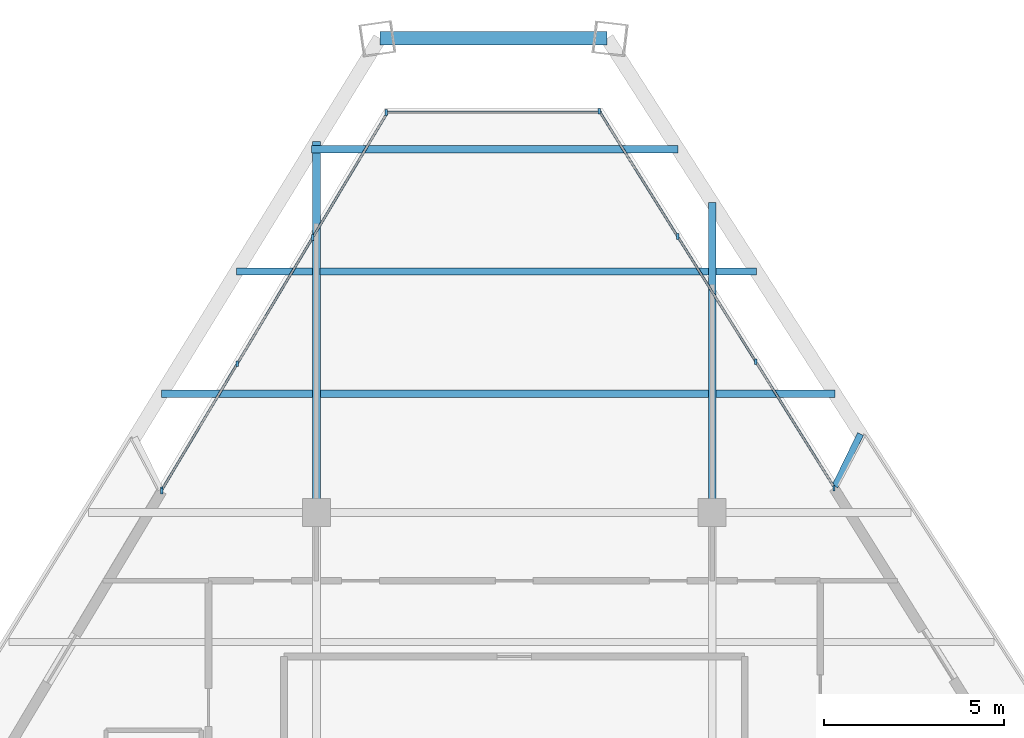
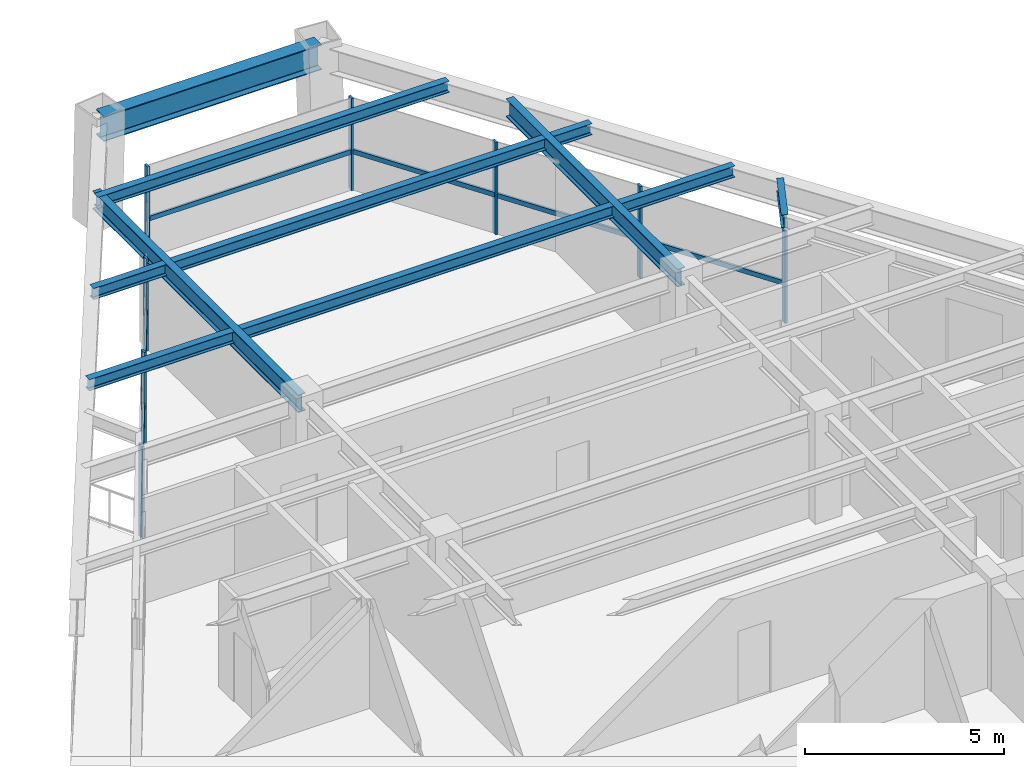
# One storey, part 6 of 12: 16 members, 11 beams, 3 elements without a shape of their own.
"""IFC4 building model written with IfcOpenShell, lengths in metres."""

from ifc_helpers import new_model, si_unit, direction, frame, origin, origin_2d, place, context, subcontext, project, spatial, rectangle, i_section, extrude, source, transform, mapped, material, material_profile, profile_set, type_object, type_shapes, element, aggregate, save


model = new_model("IFC4")

# Units and contexts
model_context = context("Model", 3, precision=1e-05, world=origin(), true_north=direction((0.0, 1.0)))
body_context = subcontext(model_context, "Body", "Model", "MODEL_VIEW")
ifc_project = project(units=[si_unit("LENGTHUNIT", "METRE"), si_unit("AREAUNIT", "SQUARE_METRE"), si_unit("VOLUMEUNIT", "CUBIC_METRE"), si_unit("PLANEANGLEUNIT", "RADIAN"), si_unit("MASSUNIT", "GRAM", prefix="KILO")], contexts=[model_context])

# Site, building, storey
site_placement = place(None, origin())
site = spatial("IfcSite", under=ifc_project, at=site_placement, CompositionType="ELEMENT")
building_placement = place(site_placement, origin())
building = spatial("IfcBuilding", under=site, at=building_placement, Name="Varnakhor Terracotta Tower", CompositionType="ELEMENT")
storey_placement = place(building_placement, frame((0.0, 0.0, 223.449951171875)))
storey = spatial("IfcBuildingStorey", under=building, at=storey_placement, Name="L57", CompositionType="ELEMENT", Elevation=223.449951171875)

# Beams
ifc_material_1 = material(Name="Steel S355", Category="steel")
ifc_material_profile_1 = material_profile(ifc_material_1, i_section(OverallWidth=0.202880859375, OverallDepth=0.346923828125, WebThickness=0.0078125, FlangeThickness=0.013427734375, FilletRadius=0.01806640625, at=origin_2d()), Name="W14X43")
ifc_profile_set_1 = profile_set([ifc_material_profile_1], Name="Steel S355")
beam_type_1 = type_object("IfcBeamType", Name="JST-W14X43", PredefinedType="JOIST", material=ifc_profile_set_1)
shared_shape_1 = source(origin(), body_context, "Body", "SweptSolid", [
    extrude(i_section(OverallWidth=0.202880859375, OverallDepth=0.346923828125, WebThickness=0.0078125, FlangeThickness=0.013427734375, FilletRadius=0.01806640625, at=origin_2d()), origin(), (0.0, 0.0, 1.0), 10.7939453125),
])
for number, where, z_axis, x_axis, name in (
    (1, (-5.39697265625, 34.800048828125, 3.066650390625), (1.0, 0.0, 0.0), (0.0, 1.0, 0.0), "L57 Composite Floor Joist 7-2"),
    (2, (-5.39697265625, 38.199951171875, 3.066650390625), (1.0, 0.0, 0.0), (0.0, 1.0, 0.0), "L57 Composite Floor Joist 8-2"),
):
    element("IfcBeam", number, at=place(storey_placement, frame(where, z_axis=z_axis, x_axis=x_axis)), inside=storey, type_object=beam_type_1, Name=name, PredefinedType="JOIST", context=body_context, shape_type="MappedRepresentation", body=[
        mapped(shared_shape_1, transform((0.0, 0.0, 0.0), scale=1.0)),
    ])
ifc_material_profile_2 = material_profile(ifc_material_1, i_section(OverallWidth=0.381103515625, OverallDepth=0.77294921875, WebThickness=0.01708984375, FlangeThickness=0.027099609375, FilletRadius=0.01806640625, at=origin_2d()), Name="W30X173")
ifc_profile_set_2 = profile_set([ifc_material_profile_2], Name="Steel S355")
beam_type_2 = type_object("IfcBeamType", Name="BM-W30X173", PredefinedType="BEAM", material=ifc_profile_set_2)
shared_shape_2 = source(origin(), body_context, "Body", "SweptSolid", [
    extrude(i_section(OverallWidth=0.381103515625, OverallDepth=0.77294921875, WebThickness=0.01708984375, FlangeThickness=0.027099609375, FilletRadius=0.01806640625, at=origin_2d()), origin(), (0.0, 0.0, 1.0), 6.31787109375),
])
beam_1_placement = place(storey_placement, frame((2.579345703125, 44.678955078125, 2.853515625), z_axis=(-1.0, 0.0, 0.0), x_axis=(0.0, -1.0, 0.0)))
element("IfcBeam", 3, at=beam_1_placement, inside=storey, type_object=beam_type_2, Name="L57 Perimeter Spandrel 5", PredefinedType="BEAM", context=body_context, shape_type="MappedRepresentation", body=[
    mapped(shared_shape_2, transform((0.0, 0.0, 0.0), scale=1.0)),
])
ifc_material_profile_3 = material_profile(ifc_material_1, i_section(OverallWidth=0.214111328125, OverallDepth=0.549072265625, WebThickness=0.014892578125, FlangeThickness=0.02392578125, FilletRadius=0.01806640625, at=origin_2d()), Name="W21X93")
ifc_profile_set_3 = profile_set([ifc_material_profile_3], Name="Steel S355")
beam_type_3 = type_object("IfcBeamType", Name="BM-W21X93", PredefinedType="BEAM", material=ifc_profile_set_3)
shared_shape_3 = source(origin(), body_context, "Body", "SweptSolid", [
    extrude(i_section(OverallWidth=0.214111328125, OverallDepth=0.549072265625, WebThickness=0.014892578125, FlangeThickness=0.02392578125, FilletRadius=0.01806640625, at=origin_2d()), origin(), (0.0, 0.0, 1.0), 10.3125),
])
beam_2_placement = place(storey_placement, frame((-5.5, 31.5, 2.965576171875), z_axis=(0.0, 1.0, 0.0), x_axis=(-1.0, 0.0, 0.0)))
element("IfcBeam", 4, at=beam_2_placement, inside=storey, type_object=beam_type_3, Name="L57 Primary Girder NS3-W", PredefinedType="BEAM", context=body_context, shape_type="MappedRepresentation", body=[
    mapped(shared_shape_3, transform((0.0, 0.0, 0.0), scale=1.0)),
])
shared_shape_4 = source(origin(), body_context, "Body", "SweptSolid", [
    extrude(i_section(OverallWidth=0.214111328125, OverallDepth=0.549072265625, WebThickness=0.014892578125, FlangeThickness=0.02392578125, FilletRadius=0.01806640625, at=origin_2d()), origin(), (0.0, 0.0, 1.0), 8.618408203125),
])
beam_3_placement = place(storey_placement, frame((5.5, 31.5, 2.965576171875), z_axis=(0.0, 1.0, 0.0), x_axis=(-1.0, 0.0, 0.0)))
element("IfcBeam", 5, at=beam_3_placement, inside=storey, type_object=beam_type_3, Name="L57 Primary Girder NS3-E", PredefinedType="BEAM", context=body_context, shape_type="MappedRepresentation", body=[
    mapped(shared_shape_4, transform((0.0, 0.0, 0.0), scale=1.0)),
])
shared_shape_5 = source(origin(), body_context, "Body", "SweptSolid", [
    extrude(i_section(OverallWidth=0.202880859375, OverallDepth=0.346923828125, WebThickness=0.0078125, FlangeThickness=0.013427734375, FilletRadius=0.01806640625, at=origin_2d()), origin(), (0.0, 0.0, 1.0), 4.205810546875),
])
beam_4_placement = place(storey_placement, frame((-9.808837890625, 34.800048828125, 3.066650390625), z_axis=(1.0, 0.0, 0.0), x_axis=(0.0, 1.0, 0.0)))
element("IfcBeam", 6, at=beam_4_placement, inside=storey, type_object=beam_type_1, Name="L57 Composite Floor Joist 7-1", PredefinedType="JOIST", context=body_context, shape_type="MappedRepresentation", body=[
    mapped(shared_shape_5, transform((0.0, 0.0, 0.0), scale=1.0)),
])
shared_shape_6 = source(origin(), body_context, "Body", "SweptSolid", [
    extrude(i_section(OverallWidth=0.202880859375, OverallDepth=0.346923828125, WebThickness=0.0078125, FlangeThickness=0.013427734375, FilletRadius=0.01806640625, at=origin_2d()), origin(), (0.0, 0.0, 1.0), 3.302978515625),
])
beam_5_placement = place(storey_placement, frame((5.60302734375, 34.800048828125, 3.066650390625), z_axis=(1.0, 0.0, 0.0), x_axis=(0.0, 1.0, 0.0)))
element("IfcBeam", 7, at=beam_5_placement, inside=storey, type_object=beam_type_1, Name="L57 Composite Floor Joist 7-3", PredefinedType="JOIST", context=body_context, shape_type="MappedRepresentation", body=[
    mapped(shared_shape_6, transform((0.0, 0.0, 0.0), scale=1.0)),
])
shared_shape_7 = source(origin(), body_context, "Body", "SweptSolid", [
    extrude(i_section(OverallWidth=0.202880859375, OverallDepth=0.346923828125, WebThickness=0.0078125, FlangeThickness=0.013427734375, FilletRadius=0.01806640625, at=origin_2d()), origin(), (0.0, 0.0, 1.0), 2.11669921875),
])
beam_6_placement = place(storey_placement, frame((-7.7197265625, 38.199951171875, 3.066650390625), z_axis=(1.0, 0.0, 0.0), x_axis=(0.0, 1.0, 0.0)))
element("IfcBeam", 8, at=beam_6_placement, inside=storey, type_object=beam_type_1, Name="L57 Composite Floor Joist 8-1", PredefinedType="JOIST", context=body_context, shape_type="MappedRepresentation", body=[
    mapped(shared_shape_7, transform((0.0, 0.0, 0.0), scale=1.0)),
])
shared_shape_8 = source(origin(), body_context, "Body", "SweptSolid", [
    extrude(i_section(OverallWidth=0.202880859375, OverallDepth=0.346923828125, WebThickness=0.0078125, FlangeThickness=0.013427734375, FilletRadius=0.01806640625, at=origin_2d()), origin(), (0.0, 0.0, 1.0), 1.12548828125),
])
beam_7_placement = place(storey_placement, frame((5.60302734375, 38.199951171875, 3.066650390625), z_axis=(1.0, 0.0, 0.0), x_axis=(0.0, 1.0, 0.0)))
element("IfcBeam", 9, at=beam_7_placement, inside=storey, type_object=beam_type_1, Name="L57 Composite Floor Joist 8-3", PredefinedType="JOIST", context=body_context, shape_type="MappedRepresentation", body=[
    mapped(shared_shape_8, transform((0.0, 0.0, 0.0), scale=1.0)),
])
shared_shape_9 = source(origin(), body_context, "Body", "SweptSolid", [
    extrude(i_section(OverallWidth=0.202880859375, OverallDepth=0.346923828125, WebThickness=0.0078125, FlangeThickness=0.013427734375, FilletRadius=0.01806640625, at=origin_2d()), origin(), (0.0, 0.0, 1.0), 10.181884765625),
])
beam_8_placement = place(storey_placement, frame((-5.630615234375, 41.60009765625, 3.066650390625), z_axis=(1.0, 0.0, 0.0), x_axis=(0.0, 1.0, 0.0)))
element("IfcBeam", 10, at=beam_8_placement, inside=storey, type_object=beam_type_1, Name="L57 Composite Floor Joist 9-1", PredefinedType="JOIST", context=body_context, shape_type="MappedRepresentation", body=[
    mapped(shared_shape_9, transform((0.0, 0.0, 0.0), scale=1.0)),
])
ifc_material_profile_4 = material_profile(ifc_material_1, i_section(OverallWidth=0.179931640625, OverallDepth=0.39990234375, WebThickness=0.008544921875, FlangeThickness=0.013427734375, FilletRadius=0.01806640625, at=origin_2d()), Name="IPE400")
ifc_profile_set_4 = profile_set([ifc_material_profile_4], Name="Steel S355")
beam_type_4 = type_object("IfcBeamType", Name="JST-IPE400", PredefinedType="JOIST", material=ifc_profile_set_4)
shared_shape_10 = source(origin(), body_context, "Body", "SweptSolid", [
    extrude(i_section(OverallWidth=0.179931640625, OverallDepth=0.39990234375, WebThickness=0.008544921875, FlangeThickness=0.013427734375, FilletRadius=0.01806640625, at=origin_2d()), origin(), (0.0, 0.0, 1.0), 1.620361328125),
])
beam_9_placement = place(storey_placement, frame((8.912353515625, 32.2255859375, 3.0400390625), z_axis=(0.437725852991, 0.899108490463, 0.0), x_axis=(-0.899108490463, 0.437725852991, 0.0)))
element("IfcBeam", 11, at=beam_9_placement, inside=storey, type_object=beam_type_4, Name="L58 E Loggia Tie Beam 1", PredefinedType="JOIST", context=body_context, shape_type="MappedRepresentation", body=[
    mapped(shared_shape_10, transform((0.0, 0.0, 0.0), scale=1.0)),
])

# Curtain wall, members
ifc_material_2 = material(Name="Anodised Aluminium Curtain Wall System", Category="aluminium")
curtain_wall_type = type_object("IfcCurtainWallType", Name="CW-SYS-HOTEL-LOGGIA", PredefinedType="NOTDEFINED", material=ifc_material_2)
curtain_wall_1_placement = place(storey_placement, origin())
curtain_wall_1 = element("IfcCurtainWall", 12, at=curtain_wall_1_placement, inside=storey, type_object=curtain_wall_type, Name="L57 W Facet Curtain Wall 2", PredefinedType="NOTDEFINED")
ifc_material_3 = material(Name="Anodised Aluminium 6063-T6", Category="aluminium")
ifc_material_profile_5 = material_profile(ifc_material_3, rectangle(XDim=0.06494140625, YDim=0.159912109375, at=origin_2d()), Name="ALU MULLION 65x160")
ifc_profile_set_5 = profile_set([ifc_material_profile_5], Name="Anodised Aluminium 6063-T6")
member_type_1 = type_object("IfcMemberType", Name="CWM-04", PredefinedType="MULLION", material=ifc_profile_set_5)
shared_shape_11 = source(origin(), body_context, "Body", "SweptSolid", [
    extrude(rectangle(XDim=0.06494140625, YDim=0.159912109375, at=origin_2d()), origin(), (0.0, 0.0, 1.0), 2.820068359375),
])
type_shapes(member_type_1, [shared_shape_11])
member_1_placement = place(storey_placement, frame((-9.798583984375, 32.124755859375, 0.0), z_axis=(0.0, 0.0, 1.0), x_axis=(1.0, 0.0, 0.0)))
member_1 = element("IfcMember", 13, at=member_1_placement, type_object=member_type_1, Name="L57 W Facet Curtain Wall 2 Mullion 1", PredefinedType="MULLION", context=body_context, shape_type="MappedRepresentation", body=[
    mapped(shared_shape_11, transform((0.0, 0.0, 0.0), scale=1.0)),
])
member_2_placement = place(storey_placement, frame((-7.700439453125, 35.634033203125, 0.0), z_axis=(0.0, 0.0, 1.0), x_axis=(1.0, 0.0, 0.0)))
member_2 = element("IfcMember", 14, at=member_2_placement, type_object=member_type_1, Name="L57 W Facet Curtain Wall 2 Mullion 2", PredefinedType="MULLION", context=body_context, shape_type="MappedRepresentation", body=[
    mapped(shared_shape_11, transform((0.0, 0.0, 0.0), scale=1.0)),
])
member_3_placement = place(storey_placement, frame((-5.6025390625, 39.143310546875, 0.0), z_axis=(0.0, 0.0, 1.0), x_axis=(1.0, 0.0, 0.0)))
member_3 = element("IfcMember", 15, at=member_3_placement, type_object=member_type_1, Name="L57 W Facet Curtain Wall 2 Mullion 3", PredefinedType="MULLION", context=body_context, shape_type="MappedRepresentation", body=[
    mapped(shared_shape_11, transform((0.0, 0.0, 0.0), scale=1.0)),
])
member_4_placement = place(storey_placement, frame((-9.796875, 32.0888671875, 0.0), z_axis=(0.0, 0.0, 1.0), x_axis=(1.0, 0.0, 0.0)))
member_4 = element("IfcMember", 16, at=member_4_placement, type_object=member_type_1, Name="L57 W Loggia Jamb Closure Mullion 2", PredefinedType="MULLION", context=body_context, shape_type="MappedRepresentation", body=[
    mapped(shared_shape_11, transform((0.0, 0.0, 0.0), scale=1.0)),
])

# Curtain wall, member
curtain_wall_2_placement = place(storey_placement, origin())
curtain_wall_2 = element("IfcCurtainWall", 17, at=curtain_wall_2_placement, inside=storey, type_object=curtain_wall_type, Name="L57 Facet Curtain Wall 2", PredefinedType="NOTDEFINED")
member_5_placement = place(storey_placement, frame((-3.56201171875, 42.6201171875, 0.0), z_axis=(0.0, 0.0, 1.0), x_axis=(1.0, 0.0, 0.0)))
member_5 = element("IfcMember", 18, at=member_5_placement, type_object=member_type_1, Name="L57 Facet Curtain Wall 2 Mullion 1", PredefinedType="MULLION", context=body_context, shape_type="MappedRepresentation", body=[
    mapped(shared_shape_11, transform((0.0, 0.0, 0.0), scale=1.0)),
])

# Curtain wall, members
curtain_wall_3_placement = place(storey_placement, origin())
curtain_wall_3 = element("IfcCurtainWall", 19, at=curtain_wall_3_placement, inside=storey, type_object=curtain_wall_type, Name="L57 E Facet Curtain Wall 1", PredefinedType="NOTDEFINED")
member_6_placement = place(storey_placement, frame((2.364990234375, 42.651123046875, 0.0), z_axis=(0.0, 0.0, 1.0), x_axis=(1.0, 0.0, 0.0)))
member_6 = element("IfcMember", 20, at=member_6_placement, type_object=member_type_1, Name="L57 E Facet Curtain Wall 1 Mullion 1", PredefinedType="MULLION", context=body_context, shape_type="MappedRepresentation", body=[
    mapped(shared_shape_11, transform((0.0, 0.0, 0.0), scale=1.0)),
])
member_7_placement = place(storey_placement, frame((4.5380859375, 39.172119140625, 0.0), z_axis=(0.0, 0.0, 1.0), x_axis=(1.0, 0.0, 0.0)))
member_7 = element("IfcMember", 21, at=member_7_placement, type_object=member_type_1, Name="L57 E Facet Curtain Wall 1 Mullion 2", PredefinedType="MULLION", context=body_context, shape_type="MappedRepresentation", body=[
    mapped(shared_shape_11, transform((0.0, 0.0, 0.0), scale=1.0)),
])
member_8_placement = place(storey_placement, frame((6.710693359375, 35.69287109375, 0.0), z_axis=(0.0, 0.0, 1.0), x_axis=(1.0, 0.0, 0.0)))
member_8 = element("IfcMember", 22, at=member_8_placement, type_object=member_type_1, Name="L57 E Facet Curtain Wall 1 Mullion 3", PredefinedType="MULLION", context=body_context, shape_type="MappedRepresentation", body=[
    mapped(shared_shape_11, transform((0.0, 0.0, 0.0), scale=1.0)),
])
member_9_placement = place(storey_placement, frame((8.882568359375, 32.177734375, 0.0), z_axis=(0.0, 0.0, 1.0), x_axis=(1.0, 0.0, 0.0)))
member_9 = element("IfcMember", 23, at=member_9_placement, type_object=member_type_1, Name="L57 E Loggia Jamb Closure Mullion 1", PredefinedType="MULLION", context=body_context, shape_type="MappedRepresentation", body=[
    mapped(shared_shape_11, transform((0.0, 0.0, 0.0), scale=1.0)),
])

# Member
ifc_material_profile_6 = material_profile(ifc_material_3, rectangle(XDim=0.06494140625, YDim=0.14501953125, at=origin_2d()), Name="ALU TRANSOM 65x145")
ifc_profile_set_6 = profile_set([ifc_material_profile_6], Name="Anodised Aluminium 6063-T6")
member_type_2 = type_object("IfcMemberType", Name="CWT-04", PredefinedType="USERDEFINED", material=ifc_profile_set_6)
shared_shape_12 = source(origin(), body_context, "Body", "SweptSolid", [
    extrude(rectangle(XDim=0.06494140625, YDim=0.14501953125, at=origin_2d()), origin(), (0.0, 0.0, 1.0), 4.088623046875),
])
member_10_placement = place(storey_placement, frame((-9.798583984375, 32.124755859375, 1.1845703125), z_axis=(0.513160405098, 0.858292723166, 0.0), x_axis=(-0.858292723166, 0.513160405098, 0.0)))
member_10 = element("IfcMember", 24, at=member_10_placement, type_object=member_type_2, Name="L57 W Facet Curtain Wall 2 Transom 1", ObjectType="TRANSOM", PredefinedType="USERDEFINED", context=body_context, shape_type="MappedRepresentation", body=[
    mapped(shared_shape_12, transform((0.0, 0.0, 0.0), scale=1.0)),
])

member_11_placement = place(storey_placement, frame((-7.700439453125, 35.634033203125, 1.1845703125), z_axis=(0.51311641564, 0.858319022276, 0.0), x_axis=(-0.858319022276, 0.51311641564, 0.0)))
member_11 = element("IfcMember", 25, at=member_11_placement, type_object=member_type_2, Name="L57 W Facet Curtain Wall 2 Transom 2", ObjectType="TRANSOM", PredefinedType="USERDEFINED", context=body_context, shape_type="MappedRepresentation", body=[
    mapped(shared_shape_12, transform((0.0, 0.0, 0.0), scale=1.0)),
])

shared_shape_13 = source(origin(), body_context, "Body", "SweptSolid", [
    extrude(rectangle(XDim=0.06494140625, YDim=0.14501953125, at=origin_2d()), origin(), (0.0, 0.0, 1.0), 4.0888671875),
])
member_12_placement = place(storey_placement, frame((-5.6025390625, 39.143310546875, 1.1845703125), z_axis=(0.513134106774, 0.858308445994, 0.0), x_axis=(-0.858308445994, 0.513134106774, 0.0)))
member_12 = element("IfcMember", 26, at=member_12_placement, type_object=member_type_2, Name="L57 W Facet Curtain Wall 2 Transom 3", ObjectType="TRANSOM", PredefinedType="USERDEFINED", context=body_context, shape_type="MappedRepresentation", body=[
    mapped(shared_shape_13, transform((0.0, 0.0, 0.0), scale=1.0)),
])

aggregate(curtain_wall_1, [member_1, member_10, member_2, member_11, member_3, member_12, member_4])

shared_shape_14 = source(origin(), body_context, "Body", "SweptSolid", [
    extrude(rectangle(XDim=0.06494140625, YDim=0.14501953125, at=origin_2d()), origin(), (0.0, 0.0, 1.0), 5.98291015625),
])
member_13_placement = place(storey_placement, frame((-3.56201171875, 42.6201171875, 1.1845703125), z_axis=(1.0, 0.0, 0.0), x_axis=(0.0, 1.0, 0.0)))
member_13 = element("IfcMember", 27, at=member_13_placement, type_object=member_type_2, Name="L57 Facet Curtain Wall 2 Transom 1", ObjectType="TRANSOM", PredefinedType="USERDEFINED", context=body_context, shape_type="MappedRepresentation", body=[
    mapped(shared_shape_14, transform((0.0, 0.0, 0.0), scale=1.0)),
])

aggregate(curtain_wall_2, [member_5, member_13])

shared_shape_15 = source(origin(), body_context, "Body", "SweptSolid", [
    extrude(rectangle(XDim=0.06494140625, YDim=0.14501953125, at=origin_2d()), origin(), (0.0, 0.0, 1.0), 4.101806640625),
])
member_14_placement = place(storey_placement, frame((2.364990234375, 42.651123046875, 1.1845703125), z_axis=(0.529774222318, -0.84813871116, 0.0), x_axis=(0.84813871116, 0.529774222318, 0.0)))
member_14 = element("IfcMember", 28, at=member_14_placement, type_object=member_type_2, Name="L57 E Facet Curtain Wall 1 Transom 1", ObjectType="TRANSOM", PredefinedType="USERDEFINED", context=body_context, shape_type="MappedRepresentation", body=[
    mapped(shared_shape_15, transform((0.0, 0.0, 0.0), scale=1.0)),
])

member_15_placement = place(storey_placement, frame((4.5380859375, 39.172119140625, 1.1845703125), z_axis=(0.529661845282, -0.848208895056, 0.0), x_axis=(0.848208895056, 0.529661845282, 0.0)))
member_15 = element("IfcMember", 29, at=member_15_placement, type_object=member_type_2, Name="L57 E Facet Curtain Wall 1 Transom 2", ObjectType="TRANSOM", PredefinedType="USERDEFINED", context=body_context, shape_type="MappedRepresentation", body=[
    mapped(shared_shape_15, transform((0.0, 0.0, 0.0), scale=1.0)),
])

member_16_placement = place(storey_placement, frame((6.710693359375, 35.69287109375, 1.1845703125), z_axis=(0.529731406294, -0.848165453898, 0.0), x_axis=(0.848165453898, 0.529731406294, 0.0)))
member_16 = element("IfcMember", 30, at=member_16_placement, type_object=member_type_2, Name="L57 E Facet Curtain Wall 1 Transom 3", ObjectType="TRANSOM", PredefinedType="USERDEFINED", context=body_context, shape_type="MappedRepresentation", body=[
    mapped(shared_shape_15, transform((0.0, 0.0, 0.0), scale=1.0)),
])

aggregate(curtain_wall_3, [member_6, member_14, member_7, member_15, member_8, member_16, member_9])

save(model, "model.ifc")
